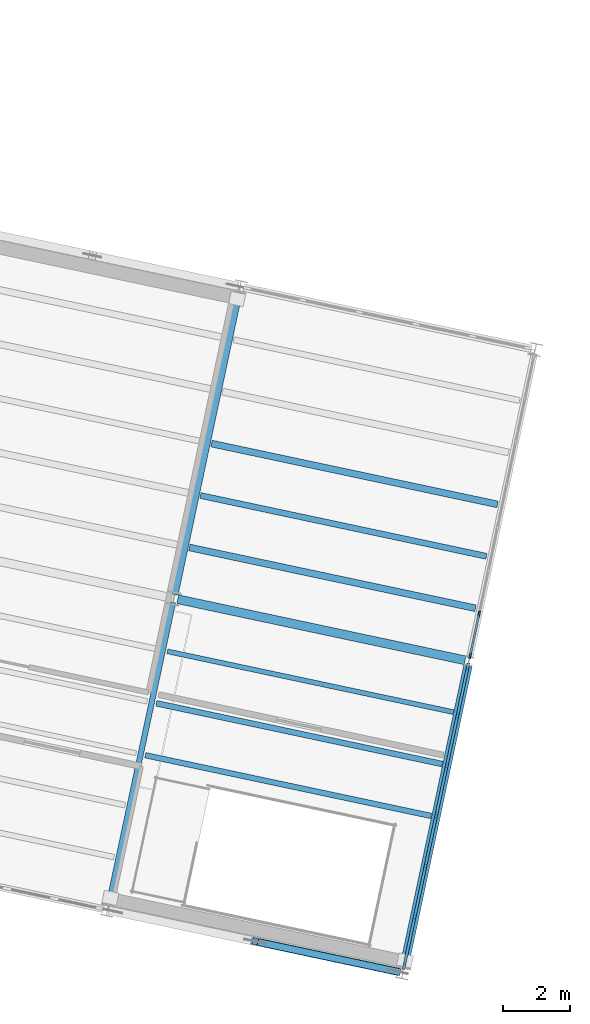
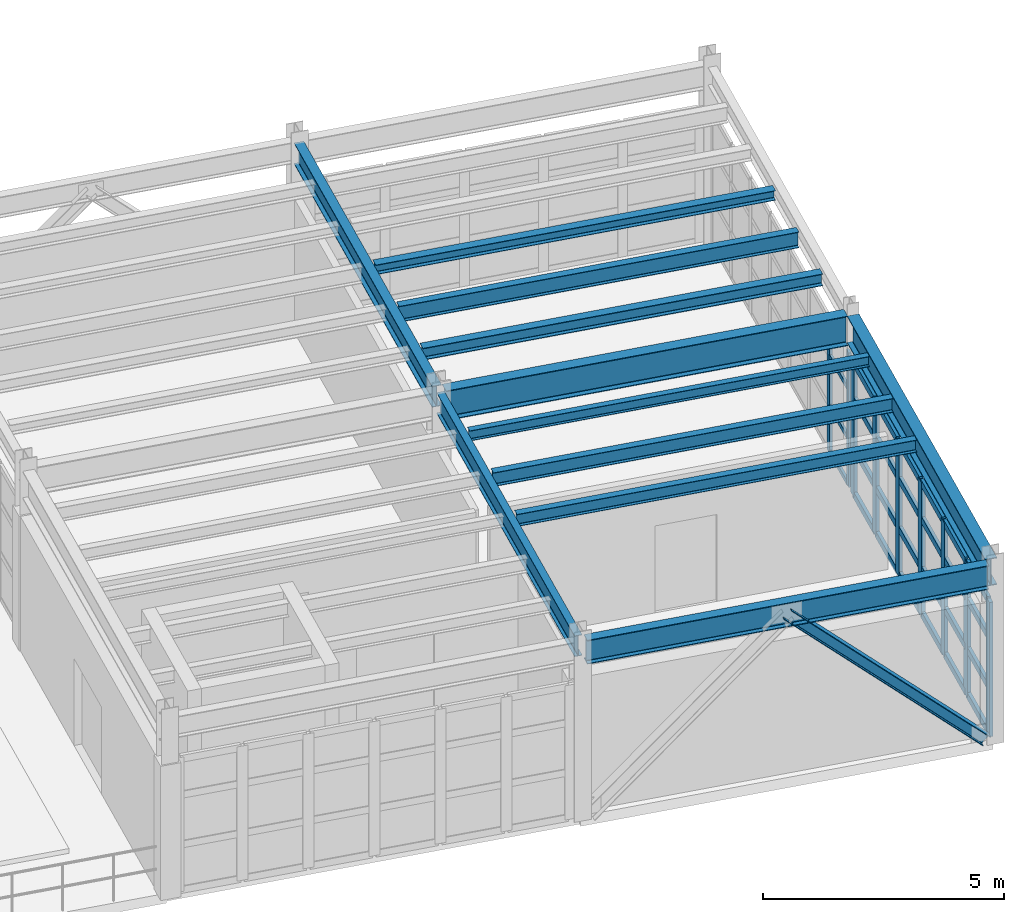
# One storey, part 55 of 109: 37 members, 11 beams, 2 elements without a shape of their own.
"""IFC4 building model written with IfcOpenShell, lengths in metres."""

from ifc_helpers import new_model, si_unit, direction, frame, origin, origin_2d, place, context, subcontext, project, spatial, rectangle, i_section, extrude, material, layer, layer_set, material_profile, profile_set, type_object, element, aggregate, save


model = new_model("IFC4")

# Units and contexts
model_context = context("Model", 3, precision=1e-05, world=origin(), true_north=direction((0.0, 1.0)))
body_context = subcontext(model_context, "Body", "Model", "MODEL_VIEW")
ifc_project = project(units=[si_unit("LENGTHUNIT", "METRE"), si_unit("AREAUNIT", "SQUARE_METRE"), si_unit("VOLUMEUNIT", "CUBIC_METRE"), si_unit("PLANEANGLEUNIT", "RADIAN"), si_unit("MASSUNIT", "GRAM", prefix="KILO")], contexts=[model_context])

# Site, building, storey
site_placement = place(None, origin())
site = spatial("IfcSite", under=ifc_project, at=site_placement, CompositionType="ELEMENT")
building_placement = place(site_placement, origin())
building = spatial("IfcBuilding", under=site, at=building_placement, Name="Vireo Bluff Cable Station", CompositionType="ELEMENT")
storey_placement = place(building_placement, frame((0.0, 0.0, 4.800048828125)))
storey = spatial("IfcBuildingStorey", under=building, at=storey_placement, Name="L01", CompositionType="ELEMENT", Elevation=4.800048828125)

# Beams
ifc_material_1 = material(Name="Steel ASTM A992 Gr. 50", Category="steel")
ifc_material_profile_1 = material_profile(ifc_material_1, i_section(OverallWidth=0.166015625, OverallDepth=0.528076171875, WebThickness=0.009765625, FlangeThickness=0.013671875, FilletRadius=0.012939453125, at=origin_2d()), Name="W21X50")
ifc_profile_set_1 = profile_set([ifc_material_profile_1], Name="Steel ASTM A992 Gr. 50")
beam_type_1 = type_object("IfcBeamType", Name="BM-W21X50", PredefinedType="BEAM", material=ifc_profile_set_1)
beam_1_placement = place(storey_placement, frame((147.631591796875, 6.375, 4.23583984375), z_axis=(0.207915514037, 0.978146788076, 0.0), x_axis=(-0.978146788076, 0.207915514037, 0.0)))
element("IfcBeam", 1, at=beam_1_placement, inside=storey, type_object=beam_type_1, Name="V5E L01 beam 1341", PredefinedType="BEAM", context=body_context, shape_type="SweptSolid", body=[
    extrude(i_section(OverallWidth=0.166015625, OverallDepth=0.528076171875, WebThickness=0.009765625, FlangeThickness=0.013671875, FilletRadius=0.012939453125, at=origin_2d()), origin(), (0.0, 0.0, 1.0), 9.260009765625),
])
ifc_material_profile_2 = material_profile(ifc_material_1, i_section(OverallWidth=0.2099609375, OverallDepth=0.535888671875, WebThickness=0.010986328125, FlangeThickness=0.017333984375, FilletRadius=0.012939453125, at=origin_2d()), Name="W21X68")
ifc_profile_set_2 = profile_set([ifc_material_profile_2], Name="Steel ASTM A992 Gr. 50")
beam_type_2 = type_object("IfcBeamType", Name="BM-W21X68", PredefinedType="BEAM", material=ifc_profile_set_2)
beam_2_placement = place(storey_placement, frame((149.606689453125, 15.66748046875, 4.23193359375), z_axis=(0.207915514037, 0.978146788076, 0.0), x_axis=(-0.978146788076, 0.207915514037, 0.0)))
element("IfcBeam", 2, at=beam_2_placement, inside=storey, type_object=beam_type_2, Name="V5E L01 beam 1342", PredefinedType="BEAM", context=body_context, shape_type="SweptSolid", body=[
    extrude(i_section(OverallWidth=0.2099609375, OverallDepth=0.535888671875, WebThickness=0.010986328125, FlangeThickness=0.017333984375, FilletRadius=0.012939453125, at=origin_2d()), origin(), (0.0, 0.0, 1.0), 9.260009765625),
])

# Member
ifc_material_profile_3 = material_profile(ifc_material_1, i_section(OverallWidth=0.2041015625, OverallDepth=0.257080078125, WebThickness=0.0087890625, FlangeThickness=0.015625, FilletRadius=0.009033203125, at=origin_2d()), Name="W10X45")
ifc_profile_set_3 = profile_set([ifc_material_profile_3], Name="Steel ASTM A992 Gr. 50")
member_type_1 = type_object("IfcMemberType", Name="BRC-01", PredefinedType="BRACE", material=ifc_profile_set_3)
member_1_placement = place(storey_placement, frame((156.25341796875, 4.419677734375, 0.0400390625), z_axis=(-0.707775608155, 0.150445056806, 0.690231825827), x_axis=(-0.207915270313, -0.978146839882, 0.0)))
element("IfcMember", 3, at=member_1_placement, inside=storey, type_object=member_type_1, Name="V5E L01 concentric brace 108R", PredefinedType="BRACE", context=body_context, shape_type="SweptSolid", body=[
    extrude(i_section(OverallWidth=0.2041015625, OverallDepth=0.257080078125, WebThickness=0.0087890625, FlangeThickness=0.015625, FilletRadius=0.009033203125, at=origin_2d()), origin(), (0.0, 0.0, 1.0), 5.997802734375),
])

# Curtain wall, members
ifc_material_2 = material(Name="Anodized Aluminium 6063-T6", Category="aluminium")
ifc_layer_1 = layer(ifc_material_2, 0.179931640625, Name="Anodized Aluminium 6063-T6")
ifc_layer_set_1 = layer_set([ifc_layer_1], Name="Anodized Aluminium 6063-T6")
curtain_wall_type_1 = type_object("IfcCurtainWallType", Name="CW-UNIT-1400", PredefinedType="USERDEFINED", material=ifc_layer_set_1)
curtain_wall_1_placement = place(storey_placement, origin())
curtain_wall_1 = element("IfcCurtainWall", 4, at=curtain_wall_1_placement, inside=storey, type_object=curtain_wall_type_1, Name="V5E L01 east curtain wall CW-138", ObjectType="UNITISED CURTAIN WALL", PredefinedType="USERDEFINED")
ifc_material_profile_4 = material_profile(ifc_material_2, rectangle(XDim=0.06005859375, YDim=0.159912109375, at=origin_2d()), Name="ALU-M-60X160")
ifc_profile_set_4 = profile_set([ifc_material_profile_4], Name="Anodized Aluminium 6063-T6")
member_type_2 = type_object("IfcMemberType", Name="CWM-03", PredefinedType="MULLION", material=ifc_profile_set_4)
member_2_placement = place(storey_placement, frame((158.685791015625, 15.09326171875, 0.0), z_axis=(0.0, 0.0, 1.0), x_axis=(0.978147602084, -0.207911684467, 0.0)))
member_2 = element("IfcMember", 5, at=member_2_placement, type_object=member_type_2, Name="CW-138 mullion 7", PredefinedType="MULLION", context=body_context, shape_type="SweptSolid", body=[
    extrude(rectangle(XDim=0.06005859375, YDim=0.159912109375, at=origin_2d()), origin(), (0.0, 0.0, 1.0), 3.39990234375),
])
member_3_placement = place(storey_placement, frame((158.419189453125, 13.839111328125, 0.0), z_axis=(0.0, 0.0, 1.0), x_axis=(0.978147602084, -0.207911684467, 0.0)))
member_3 = element("IfcMember", 6, at=member_3_placement, type_object=member_type_2, Name="CW-138 mullion 8", PredefinedType="MULLION", context=body_context, shape_type="SweptSolid", body=[
    extrude(rectangle(XDim=0.06005859375, YDim=0.159912109375, at=origin_2d()), origin(), (0.0, 0.0, 1.0), 3.39990234375),
])

ifc_layer_2 = layer(ifc_material_2, 0.179931640625, Name="Anodized Aluminium 6063-T6")
ifc_layer_set_2 = layer_set([ifc_layer_2], Name="Anodized Aluminium 6063-T6")
curtain_wall_type_2 = type_object("IfcCurtainWallType", Name="CW-UNIT-1500", PredefinedType="USERDEFINED", material=ifc_layer_set_2)
curtain_wall_2_placement = place(storey_placement, origin())
curtain_wall_2 = element("IfcCurtainWall", 7, at=curtain_wall_2_placement, inside=storey, type_object=curtain_wall_type_2, Name="V5E L01 east curtain wall CW-139", ObjectType="UNITISED CURTAIN WALL", PredefinedType="USERDEFINED")
ifc_material_profile_5 = material_profile(ifc_material_2, rectangle(XDim=0.080078125, YDim=0.239990234375, at=origin_2d()), Name="ALU-M-80X240")
ifc_profile_set_5 = profile_set([ifc_material_profile_5], Name="Anodized Aluminium 6063-T6")
member_type_3 = type_object("IfcMemberType", Name="CWM-04", PredefinedType="MULLION", material=ifc_profile_set_5)
member_4_placement = place(storey_placement, frame((158.348876953125, 13.508544921875, 0.0), z_axis=(0.0, 0.0, 1.0), x_axis=(0.978147602084, -0.207911684467, 0.0)))
member_4 = element("IfcMember", 8, at=member_4_placement, type_object=member_type_3, Name="CW-139 mullion 1", PredefinedType="MULLION", context=body_context, shape_type="SweptSolid", body=[
    extrude(rectangle(XDim=0.080078125, YDim=0.239990234375, at=origin_2d()), origin(), (0.0, 0.0, 1.0), 3.39990234375),
])
member_5_placement = place(storey_placement, frame((158.0390625, 12.050537109375, 0.0), z_axis=(0.0, 0.0, 1.0), x_axis=(0.978147602084, -0.207911684467, 0.0)))
member_5 = element("IfcMember", 9, at=member_5_placement, type_object=member_type_3, Name="CW-139 mullion 2", PredefinedType="MULLION", context=body_context, shape_type="SweptSolid", body=[
    extrude(rectangle(XDim=0.080078125, YDim=0.239990234375, at=origin_2d()), origin(), (0.0, 0.0, 1.0), 3.39990234375),
])
member_6_placement = place(storey_placement, frame((157.720703125, 10.55322265625, 0.0), z_axis=(0.0, 0.0, 1.0), x_axis=(0.978147602084, -0.207911684467, 0.0)))
member_6 = element("IfcMember", 10, at=member_6_placement, type_object=member_type_3, Name="CW-139 mullion 3", PredefinedType="MULLION", context=body_context, shape_type="SweptSolid", body=[
    extrude(rectangle(XDim=0.080078125, YDim=0.239990234375, at=origin_2d()), origin(), (0.0, 0.0, 1.0), 3.39990234375),
])
member_7_placement = place(storey_placement, frame((157.402587890625, 9.05615234375, 0.0), z_axis=(0.0, 0.0, 1.0), x_axis=(0.978147602084, -0.207911684467, 0.0)))
member_7 = element("IfcMember", 11, at=member_7_placement, type_object=member_type_3, Name="CW-139 mullion 4", PredefinedType="MULLION", context=body_context, shape_type="SweptSolid", body=[
    extrude(rectangle(XDim=0.080078125, YDim=0.239990234375, at=origin_2d()), origin(), (0.0, 0.0, 1.0), 3.39990234375),
])
member_8_placement = place(storey_placement, frame((157.084228515625, 7.558837890625, 0.0), z_axis=(0.0, 0.0, 1.0), x_axis=(0.978147602084, -0.207911684467, 0.0)))
member_8 = element("IfcMember", 12, at=member_8_placement, type_object=member_type_3, Name="CW-139 mullion 5", PredefinedType="MULLION", context=body_context, shape_type="SweptSolid", body=[
    extrude(rectangle(XDim=0.080078125, YDim=0.239990234375, at=origin_2d()), origin(), (0.0, 0.0, 1.0), 3.39990234375),
])
member_9_placement = place(storey_placement, frame((156.76611328125, 6.0615234375, 0.0), z_axis=(0.0, 0.0, 1.0), x_axis=(0.978147602084, -0.207911684467, 0.0)))
member_9 = element("IfcMember", 13, at=member_9_placement, type_object=member_type_3, Name="CW-139 mullion 6", PredefinedType="MULLION", context=body_context, shape_type="SweptSolid", body=[
    extrude(rectangle(XDim=0.080078125, YDim=0.239990234375, at=origin_2d()), origin(), (0.0, 0.0, 1.0), 3.39990234375),
])
member_10_placement = place(storey_placement, frame((156.4560546875, 4.603515625, 0.0), z_axis=(0.0, 0.0, 1.0), x_axis=(0.978147602084, -0.207911684467, 0.0)))
member_10 = element("IfcMember", 14, at=member_10_placement, type_object=member_type_3, Name="CW-139 mullion 7", PredefinedType="MULLION", context=body_context, shape_type="SweptSolid", body=[
    extrude(rectangle(XDim=0.080078125, YDim=0.239990234375, at=origin_2d()), origin(), (0.0, 0.0, 1.0), 3.39990234375),
])

# Member
ifc_material_profile_6 = material_profile(ifc_material_2, rectangle(XDim=0.06005859375, YDim=0.1201171875, at=origin_2d()), Name="ALU-T-60X120")
ifc_profile_set_6 = profile_set([ifc_material_profile_6], Name="Anodized Aluminium 6063-T6")
member_type_4 = type_object("IfcMemberType", Name="CWT-03", PredefinedType="USERDEFINED", material=ifc_profile_set_6)
member_11_placement = place(storey_placement, frame((158.679443359375, 15.06396484375, 0.030029296875), z_axis=(-0.207782291722, -0.978175096415, 0.0), x_axis=(0.978175096415, -0.207782291722, 0.0)))
member_11 = element("IfcMember", 15, at=member_11_placement, type_object=member_type_4, Name="CW-138 transom 7.1", ObjectType="TRANSOM", PredefinedType="USERDEFINED", context=body_context, shape_type="SweptSolid", body=[
    extrude(rectangle(XDim=0.06005859375, YDim=0.1201171875, at=origin_2d()), origin(), (0.0, 0.0, 1.0), 1.221923828125),
])

member_12_placement = place(storey_placement, frame((158.679443359375, 15.06396484375, 1.18994140625), z_axis=(-0.207782291722, -0.978175096415, 0.0), x_axis=(0.978175096415, -0.207782291722, 0.0)))
member_12 = element("IfcMember", 16, at=member_12_placement, type_object=member_type_4, Name="CW-138 transom 7.2", ObjectType="TRANSOM", PredefinedType="USERDEFINED", context=body_context, shape_type="SweptSolid", body=[
    extrude(rectangle(XDim=0.06005859375, YDim=0.1201171875, at=origin_2d()), origin(), (0.0, 0.0, 1.0), 1.221923828125),
])

member_13_placement = place(storey_placement, frame((158.679443359375, 15.06396484375, 2.447998046875), z_axis=(-0.207782291722, -0.978175096415, 0.0), x_axis=(0.978175096415, -0.207782291722, 0.0)))
member_13 = element("IfcMember", 17, at=member_13_placement, type_object=member_type_4, Name="CW-138 transom 7.3", ObjectType="TRANSOM", PredefinedType="USERDEFINED", context=body_context, shape_type="SweptSolid", body=[
    extrude(rectangle(XDim=0.06005859375, YDim=0.1201171875, at=origin_2d()), origin(), (0.0, 0.0, 1.0), 1.221923828125),
])

aggregate(curtain_wall_1, [member_2, member_3, member_11, member_12, member_13])

ifc_material_profile_7 = material_profile(ifc_material_2, rectangle(XDim=0.080078125, YDim=0.175048828125, at=origin_2d()), Name="ALU-T-80X175")
ifc_profile_set_7 = profile_set([ifc_material_profile_7], Name="Anodized Aluminium 6063-T6")
member_type_5 = type_object("IfcMemberType", Name="CWT-04", PredefinedType="USERDEFINED", material=ifc_profile_set_7)
member_14_placement = place(storey_placement, frame((158.340576171875, 13.469482421875, 0.0400390625), z_axis=(-0.207850476452, -0.978160610247, 0.0), x_axis=(0.978160610247, -0.207850476452, 0.0)))
member_14 = element("IfcMember", 18, at=member_14_placement, type_object=member_type_5, Name="CW-139 transom 1.1", ObjectType="TRANSOM", PredefinedType="USERDEFINED", context=body_context, shape_type="SweptSolid", body=[
    extrude(rectangle(XDim=0.080078125, YDim=0.175048828125, at=origin_2d()), origin(), (0.0, 0.0, 1.0), 1.41064453125),
])

member_15_placement = place(storey_placement, frame((158.340576171875, 13.469482421875, 1.18994140625), z_axis=(-0.207850476452, -0.978160610247, 0.0), x_axis=(0.978160610247, -0.207850476452, 0.0)))
member_15 = element("IfcMember", 19, at=member_15_placement, type_object=member_type_5, Name="CW-139 transom 1.2", ObjectType="TRANSOM", PredefinedType="USERDEFINED", context=body_context, shape_type="SweptSolid", body=[
    extrude(rectangle(XDim=0.080078125, YDim=0.175048828125, at=origin_2d()), origin(), (0.0, 0.0, 1.0), 1.41064453125),
])

member_16_placement = place(storey_placement, frame((158.340576171875, 13.469482421875, 2.447998046875), z_axis=(-0.207850476452, -0.978160610247, 0.0), x_axis=(0.978160610247, -0.207850476452, 0.0)))
member_16 = element("IfcMember", 20, at=member_16_placement, type_object=member_type_5, Name="CW-139 transom 1.3", ObjectType="TRANSOM", PredefinedType="USERDEFINED", context=body_context, shape_type="SweptSolid", body=[
    extrude(rectangle(XDim=0.080078125, YDim=0.175048828125, at=origin_2d()), origin(), (0.0, 0.0, 1.0), 1.41064453125),
])

member_17_placement = place(storey_placement, frame((158.340576171875, 13.469482421875, 3.35986328125), z_axis=(-0.207850476452, -0.978160610247, 0.0), x_axis=(0.978160610247, -0.207850476452, 0.0)))
member_17 = element("IfcMember", 21, at=member_17_placement, type_object=member_type_5, Name="CW-139 transom 1.4", ObjectType="TRANSOM", PredefinedType="USERDEFINED", context=body_context, shape_type="SweptSolid", body=[
    extrude(rectangle(XDim=0.080078125, YDim=0.175048828125, at=origin_2d()), origin(), (0.0, 0.0, 1.0), 1.41064453125),
])

member_18_placement = place(storey_placement, frame((158.03076171875, 12.011474609375, 0.0400390625), z_axis=(-0.207977489263, -0.978133612529, 0.0), x_axis=(0.978133612529, -0.207977489263, 0.0)))
member_18 = element("IfcMember", 22, at=member_18_placement, type_object=member_type_5, Name="CW-139 transom 2.1", ObjectType="TRANSOM", PredefinedType="USERDEFINED", context=body_context, shape_type="SweptSolid", body=[
    extrude(rectangle(XDim=0.080078125, YDim=0.175048828125, at=origin_2d()), origin(), (0.0, 0.0, 1.0), 1.450927734375),
])

member_19_placement = place(storey_placement, frame((158.03076171875, 12.011474609375, 1.18994140625), z_axis=(-0.207977489263, -0.978133612529, 0.0), x_axis=(0.978133612529, -0.207977489263, 0.0)))
member_19 = element("IfcMember", 23, at=member_19_placement, type_object=member_type_5, Name="CW-139 transom 2.2", ObjectType="TRANSOM", PredefinedType="USERDEFINED", context=body_context, shape_type="SweptSolid", body=[
    extrude(rectangle(XDim=0.080078125, YDim=0.175048828125, at=origin_2d()), origin(), (0.0, 0.0, 1.0), 1.450927734375),
])

member_20_placement = place(storey_placement, frame((158.03076171875, 12.011474609375, 2.447998046875), z_axis=(-0.207977489263, -0.978133612529, 0.0), x_axis=(0.978133612529, -0.207977489263, 0.0)))
member_20 = element("IfcMember", 24, at=member_20_placement, type_object=member_type_5, Name="CW-139 transom 2.3", ObjectType="TRANSOM", PredefinedType="USERDEFINED", context=body_context, shape_type="SweptSolid", body=[
    extrude(rectangle(XDim=0.080078125, YDim=0.175048828125, at=origin_2d()), origin(), (0.0, 0.0, 1.0), 1.450927734375),
])

member_21_placement = place(storey_placement, frame((158.03076171875, 12.011474609375, 3.35986328125), z_axis=(-0.207977489263, -0.978133612529, 0.0), x_axis=(0.978133612529, -0.207977489263, 0.0)))
member_21 = element("IfcMember", 25, at=member_21_placement, type_object=member_type_5, Name="CW-139 transom 2.4", ObjectType="TRANSOM", PredefinedType="USERDEFINED", context=body_context, shape_type="SweptSolid", body=[
    extrude(rectangle(XDim=0.080078125, YDim=0.175048828125, at=origin_2d()), origin(), (0.0, 0.0, 1.0), 1.450927734375),
])

member_22_placement = place(storey_placement, frame((157.71240234375, 10.51416015625, 0.0400390625), z_axis=(-0.207850704377, -0.978160561815, 0.0), x_axis=(0.978160561815, -0.207850704377, 0.0)))
member_22 = element("IfcMember", 26, at=member_22_placement, type_object=member_type_5, Name="CW-139 transom 3.1", ObjectType="TRANSOM", PredefinedType="USERDEFINED", context=body_context, shape_type="SweptSolid", body=[
    extrude(rectangle(XDim=0.080078125, YDim=0.175048828125, at=origin_2d()), origin(), (0.0, 0.0, 1.0), 1.45068359375),
])

member_23_placement = place(storey_placement, frame((157.71240234375, 10.51416015625, 1.18994140625), z_axis=(-0.207850704377, -0.978160561815, 0.0), x_axis=(0.978160561815, -0.207850704377, 0.0)))
member_23 = element("IfcMember", 27, at=member_23_placement, type_object=member_type_5, Name="CW-139 transom 3.2", ObjectType="TRANSOM", PredefinedType="USERDEFINED", context=body_context, shape_type="SweptSolid", body=[
    extrude(rectangle(XDim=0.080078125, YDim=0.175048828125, at=origin_2d()), origin(), (0.0, 0.0, 1.0), 1.45068359375),
])

member_24_placement = place(storey_placement, frame((157.71240234375, 10.51416015625, 2.447998046875), z_axis=(-0.207850704377, -0.978160561815, 0.0), x_axis=(0.978160561815, -0.207850704377, 0.0)))
member_24 = element("IfcMember", 28, at=member_24_placement, type_object=member_type_5, Name="CW-139 transom 3.3", ObjectType="TRANSOM", PredefinedType="USERDEFINED", context=body_context, shape_type="SweptSolid", body=[
    extrude(rectangle(XDim=0.080078125, YDim=0.175048828125, at=origin_2d()), origin(), (0.0, 0.0, 1.0), 1.45068359375),
])

member_25_placement = place(storey_placement, frame((157.71240234375, 10.51416015625, 3.35986328125), z_axis=(-0.207850704377, -0.978160561815, 0.0), x_axis=(0.978160561815, -0.207850704377, 0.0)))
member_25 = element("IfcMember", 29, at=member_25_placement, type_object=member_type_5, Name="CW-139 transom 3.4", ObjectType="TRANSOM", PredefinedType="USERDEFINED", context=body_context, shape_type="SweptSolid", body=[
    extrude(rectangle(XDim=0.080078125, YDim=0.175048828125, at=origin_2d()), origin(), (0.0, 0.0, 1.0), 1.45068359375),
])

member_26_placement = place(storey_placement, frame((157.394287109375, 9.016845703125, 0.0400390625), z_axis=(-0.208011725202, -0.978126332423, 0.0), x_axis=(0.978126332423, -0.208011725202, 0.0)))
member_26 = element("IfcMember", 30, at=member_26_placement, type_object=member_type_5, Name="CW-139 transom 4.1", ObjectType="TRANSOM", PredefinedType="USERDEFINED", context=body_context, shape_type="SweptSolid", body=[
    extrude(rectangle(XDim=0.080078125, YDim=0.175048828125, at=origin_2d()), origin(), (0.0, 0.0, 1.0), 1.45068359375),
])

member_27_placement = place(storey_placement, frame((157.394287109375, 9.016845703125, 1.18994140625), z_axis=(-0.208011725202, -0.978126332423, 0.0), x_axis=(0.978126332423, -0.208011725202, 0.0)))
member_27 = element("IfcMember", 31, at=member_27_placement, type_object=member_type_5, Name="CW-139 transom 4.2", ObjectType="TRANSOM", PredefinedType="USERDEFINED", context=body_context, shape_type="SweptSolid", body=[
    extrude(rectangle(XDim=0.080078125, YDim=0.175048828125, at=origin_2d()), origin(), (0.0, 0.0, 1.0), 1.45068359375),
])

member_28_placement = place(storey_placement, frame((157.394287109375, 9.016845703125, 2.447998046875), z_axis=(-0.208011725202, -0.978126332423, 0.0), x_axis=(0.978126332423, -0.208011725202, 0.0)))
member_28 = element("IfcMember", 32, at=member_28_placement, type_object=member_type_5, Name="CW-139 transom 4.3", ObjectType="TRANSOM", PredefinedType="USERDEFINED", context=body_context, shape_type="SweptSolid", body=[
    extrude(rectangle(XDim=0.080078125, YDim=0.175048828125, at=origin_2d()), origin(), (0.0, 0.0, 1.0), 1.45068359375),
])

member_29_placement = place(storey_placement, frame((157.394287109375, 9.016845703125, 3.35986328125), z_axis=(-0.208011725202, -0.978126332423, 0.0), x_axis=(0.978126332423, -0.208011725202, 0.0)))
member_29 = element("IfcMember", 33, at=member_29_placement, type_object=member_type_5, Name="CW-139 transom 4.4", ObjectType="TRANSOM", PredefinedType="USERDEFINED", context=body_context, shape_type="SweptSolid", body=[
    extrude(rectangle(XDim=0.080078125, YDim=0.175048828125, at=origin_2d()), origin(), (0.0, 0.0, 1.0), 1.45068359375),
])

member_30_placement = place(storey_placement, frame((157.075927734375, 7.519775390625, 0.0400390625), z_axis=(-0.207850704377, -0.978160561815, 0.0), x_axis=(0.978160561815, -0.207850704377, 0.0)))
member_30 = element("IfcMember", 34, at=member_30_placement, type_object=member_type_5, Name="CW-139 transom 5.1", ObjectType="TRANSOM", PredefinedType="USERDEFINED", context=body_context, shape_type="SweptSolid", body=[
    extrude(rectangle(XDim=0.080078125, YDim=0.175048828125, at=origin_2d()), origin(), (0.0, 0.0, 1.0), 1.45068359375),
])

member_31_placement = place(storey_placement, frame((157.075927734375, 7.519775390625, 1.18994140625), z_axis=(-0.207850704377, -0.978160561815, 0.0), x_axis=(0.978160561815, -0.207850704377, 0.0)))
member_31 = element("IfcMember", 35, at=member_31_placement, type_object=member_type_5, Name="CW-139 transom 5.2", ObjectType="TRANSOM", PredefinedType="USERDEFINED", context=body_context, shape_type="SweptSolid", body=[
    extrude(rectangle(XDim=0.080078125, YDim=0.175048828125, at=origin_2d()), origin(), (0.0, 0.0, 1.0), 1.45068359375),
])

member_32_placement = place(storey_placement, frame((157.075927734375, 7.519775390625, 2.447998046875), z_axis=(-0.207850704377, -0.978160561815, 0.0), x_axis=(0.978160561815, -0.207850704377, 0.0)))
member_32 = element("IfcMember", 36, at=member_32_placement, type_object=member_type_5, Name="CW-139 transom 5.3", ObjectType="TRANSOM", PredefinedType="USERDEFINED", context=body_context, shape_type="SweptSolid", body=[
    extrude(rectangle(XDim=0.080078125, YDim=0.175048828125, at=origin_2d()), origin(), (0.0, 0.0, 1.0), 1.45068359375),
])

member_33_placement = place(storey_placement, frame((157.075927734375, 7.519775390625, 3.35986328125), z_axis=(-0.207850704377, -0.978160561815, 0.0), x_axis=(0.978160561815, -0.207850704377, 0.0)))
member_33 = element("IfcMember", 37, at=member_33_placement, type_object=member_type_5, Name="CW-139 transom 5.4", ObjectType="TRANSOM", PredefinedType="USERDEFINED", context=body_context, shape_type="SweptSolid", body=[
    extrude(rectangle(XDim=0.080078125, YDim=0.175048828125, at=origin_2d()), origin(), (0.0, 0.0, 1.0), 1.45068359375),
])

member_34_placement = place(storey_placement, frame((156.7578125, 6.0224609375, 0.0400390625), z_axis=(-0.208016055323, -0.978125411554, 0.0), x_axis=(0.978125411554, -0.208016055323, 0.0)))
member_34 = element("IfcMember", 38, at=member_34_placement, type_object=member_type_5, Name="CW-139 transom 6.1", ObjectType="TRANSOM", PredefinedType="USERDEFINED", context=body_context, shape_type="SweptSolid", body=[
    extrude(rectangle(XDim=0.080078125, YDim=0.175048828125, at=origin_2d()), origin(), (0.0, 0.0, 1.0), 1.41064453125),
])

member_35_placement = place(storey_placement, frame((156.7578125, 6.0224609375, 1.18994140625), z_axis=(-0.208016055323, -0.978125411554, 0.0), x_axis=(0.978125411554, -0.208016055323, 0.0)))
member_35 = element("IfcMember", 39, at=member_35_placement, type_object=member_type_5, Name="CW-139 transom 6.2", ObjectType="TRANSOM", PredefinedType="USERDEFINED", context=body_context, shape_type="SweptSolid", body=[
    extrude(rectangle(XDim=0.080078125, YDim=0.175048828125, at=origin_2d()), origin(), (0.0, 0.0, 1.0), 1.41064453125),
])

member_36_placement = place(storey_placement, frame((156.7578125, 6.0224609375, 2.447998046875), z_axis=(-0.208016055323, -0.978125411554, 0.0), x_axis=(0.978125411554, -0.208016055323, 0.0)))
member_36 = element("IfcMember", 40, at=member_36_placement, type_object=member_type_5, Name="CW-139 transom 6.3", ObjectType="TRANSOM", PredefinedType="USERDEFINED", context=body_context, shape_type="SweptSolid", body=[
    extrude(rectangle(XDim=0.080078125, YDim=0.175048828125, at=origin_2d()), origin(), (0.0, 0.0, 1.0), 1.41064453125),
])

member_37_placement = place(storey_placement, frame((156.7578125, 6.0224609375, 3.35986328125), z_axis=(-0.208016055323, -0.978125411554, 0.0), x_axis=(0.978125411554, -0.208016055323, 0.0)))
member_37 = element("IfcMember", 41, at=member_37_placement, type_object=member_type_5, Name="CW-139 transom 6.4", ObjectType="TRANSOM", PredefinedType="USERDEFINED", context=body_context, shape_type="SweptSolid", body=[
    extrude(rectangle(XDim=0.080078125, YDim=0.175048828125, at=origin_2d()), origin(), (0.0, 0.0, 1.0), 1.41064453125),
])

aggregate(curtain_wall_2, [member_4, member_5, member_6, member_7, member_8, member_9, member_10, member_14, member_15, member_16, member_17, member_18, member_19, member_20, member_21, member_22, member_23, member_24, member_25, member_26, member_27, member_28, member_29, member_30, member_31, member_32, member_33, member_34, member_35, member_36, member_37])

# Beams
ifc_material_profile_8 = material_profile(ifc_material_1, i_section(OverallWidth=0.264892578125, OverallDepth=0.7529296875, WebThickness=0.01318359375, FlangeThickness=0.01708984375, FilletRadius=0.01611328125, at=origin_2d()), Name="W30X99")
ifc_profile_set_8 = profile_set([ifc_material_profile_8], Name="Steel ASTM A992 Gr. 50")
beam_type_3 = type_object("IfcBeamType", Name="GIR-W30X99", PredefinedType="USERDEFINED", material=ifc_profile_set_8)
beam_3_placement = place(storey_placement, frame((149.69921875, 15.525146484375, 4.12353515625), z_axis=(0.978148154167, -0.207909087104, 0.0), x_axis=(0.207909087104, 0.978148154167, 0.0)))
element("IfcBeam", 42, at=beam_3_placement, inside=storey, type_object=beam_type_3, Name="V5E L01 girder 1336", ObjectType="GIRDER", PredefinedType="USERDEFINED", context=body_context, shape_type="SweptSolid", body=[
    extrude(i_section(OverallWidth=0.264892578125, OverallDepth=0.7529296875, WebThickness=0.01318359375, FlangeThickness=0.01708984375, FilletRadius=0.01611328125, at=origin_2d()), origin(), (0.0, 0.0, 1.0), 8.760009765625),
])
ifc_material_profile_9 = material_profile(ifc_material_1, i_section(OverallWidth=0.14599609375, OverallDepth=0.259033203125, WebThickness=0.006103515625, FlangeThickness=0.009033203125, FilletRadius=0.009033203125, at=origin_2d()), Name="W10X22")
ifc_profile_set_9 = profile_set([ifc_material_profile_9], Name="Steel ASTM A992 Gr. 50")
beam_type_4 = type_object("IfcBeamType", Name="JST-W10X22", PredefinedType="JOIST", material=ifc_profile_set_9)
beam_4_placement = place(storey_placement, frame((149.3896484375, 13.97216796875, 4.370361328125), z_axis=(0.978146894897, -0.207915011493, 0.0), x_axis=(0.207915011493, 0.978146894897, 0.0)))
element("IfcBeam", 43, at=beam_4_placement, inside=storey, type_object=beam_type_4, Name="V5E L01 composite joist 1357", PredefinedType="JOIST", context=body_context, shape_type="SweptSolid", body=[
    extrude(i_section(OverallWidth=0.14599609375, OverallDepth=0.259033203125, WebThickness=0.006103515625, FlangeThickness=0.009033203125, FilletRadius=0.009033203125, at=origin_2d()), origin(), (0.0, 0.0, 1.0), 8.719970703125),
])
ifc_material_profile_10 = material_profile(ifc_material_1, i_section(OverallWidth=0.201904296875, OverallDepth=0.2470703125, WebThickness=0.00732421875, FlangeThickness=0.010986328125, FilletRadius=0.009033203125, at=origin_2d()), Name="W10X33")
ifc_profile_set_10 = profile_set([ifc_material_profile_10], Name="Steel ASTM A992 Gr. 50")
beam_type_5 = type_object("IfcBeamType", Name="JST-W10X33", PredefinedType="JOIST", material=ifc_profile_set_10)
beam_5_placement = place(storey_placement, frame((150.706298828125, 20.1669921875, 4.37646484375), z_axis=(0.978148105174, -0.207909317601, 0.0), x_axis=(0.207909317601, 0.978148105174, 0.0)))
element("IfcBeam", 44, at=beam_5_placement, inside=storey, type_object=beam_type_5, Name="V5E L01 composite joist 1360", PredefinedType="JOIST", context=body_context, shape_type="SweptSolid", body=[
    extrude(i_section(OverallWidth=0.201904296875, OverallDepth=0.2470703125, WebThickness=0.00732421875, FlangeThickness=0.010986328125, FilletRadius=0.009033203125, at=origin_2d()), origin(), (0.0, 0.0, 1.0), 8.719970703125),
])
ifc_material_profile_11 = material_profile(ifc_material_1, i_section(OverallWidth=0.1650390625, OverallDepth=0.31005859375, WebThickness=0.005859375, FlangeThickness=0.009765625, FilletRadius=0.010009765625, at=origin_2d()), Name="W12X26")
ifc_profile_set_11 = profile_set([ifc_material_profile_11], Name="Steel ASTM A992 Gr. 50")
beam_type_6 = type_object("IfcBeamType", Name="JST-W12X26", PredefinedType="JOIST", material=ifc_profile_set_11)
beam_6_placement = place(storey_placement, frame((148.731201171875, 10.874755859375, 4.344970703125), z_axis=(0.978148105174, -0.207909317601, 0.0), x_axis=(0.207909317601, 0.978148105174, 0.0)))
element("IfcBeam", 45, at=beam_6_placement, inside=storey, type_object=beam_type_6, Name="V5E L01 composite joist 1355", PredefinedType="JOIST", context=body_context, shape_type="SweptSolid", body=[
    extrude(i_section(OverallWidth=0.1650390625, OverallDepth=0.31005859375, WebThickness=0.005859375, FlangeThickness=0.009765625, FilletRadius=0.010009765625, at=origin_2d()), origin(), (0.0, 0.0, 1.0), 8.719970703125),
])
ifc_material_profile_12 = material_profile(ifc_material_1, i_section(OverallWidth=0.202880859375, OverallDepth=0.302978515625, WebThickness=0.007568359375, FlangeThickness=0.01318359375, FilletRadius=0.010009765625, at=origin_2d()), Name="W12X40")
ifc_profile_set_12 = profile_set([ifc_material_profile_12], Name="Steel ASTM A992 Gr. 50")
beam_type_7 = type_object("IfcBeamType", Name="JST-W12X40", PredefinedType="JOIST", material=ifc_profile_set_12)
beam_7_placement = place(storey_placement, frame((150.0478515625, 17.069580078125, 4.348388671875), z_axis=(0.978148105174, -0.207909317601, 0.0), x_axis=(0.207909317601, 0.978148105174, 0.0)))
element("IfcBeam", 46, at=beam_7_placement, inside=storey, type_object=beam_type_7, Name="V5E L01 composite joist 1358", PredefinedType="JOIST", context=body_context, shape_type="SweptSolid", body=[
    extrude(i_section(OverallWidth=0.202880859375, OverallDepth=0.302978515625, WebThickness=0.007568359375, FlangeThickness=0.01318359375, FilletRadius=0.010009765625, at=origin_2d()), origin(), (0.0, 0.0, 1.0), 8.719970703125),
])
ifc_material_profile_13 = material_profile(ifc_material_1, i_section(OverallWidth=0.1708984375, OverallDepth=0.35107421875, WebThickness=0.0068359375, FlangeThickness=0.009765625, FilletRadius=0.010009765625, at=origin_2d()), Name="W14X30")
ifc_profile_set_13 = profile_set([ifc_material_profile_13], Name="Steel ASTM A992 Gr. 50")
beam_type_8 = type_object("IfcBeamType", Name="JST-W14X30", PredefinedType="JOIST", material=ifc_profile_set_13)
beam_8_placement = place(storey_placement, frame((149.060302734375, 12.42333984375, 4.324462890625), z_axis=(0.978148105174, -0.207909317601, 0.0), x_axis=(0.207909317601, 0.978148105174, 0.0)))
element("IfcBeam", 47, at=beam_8_placement, inside=storey, type_object=beam_type_8, Name="V5E L01 composite joist 1356", PredefinedType="JOIST", context=body_context, shape_type="SweptSolid", body=[
    extrude(i_section(OverallWidth=0.1708984375, OverallDepth=0.35107421875, WebThickness=0.0068359375, FlangeThickness=0.009765625, FilletRadius=0.010009765625, at=origin_2d()), origin(), (0.0, 0.0, 1.0), 8.719970703125),
])
ifc_material_profile_14 = material_profile(ifc_material_1, i_section(OverallWidth=0.177978515625, OverallDepth=0.404052734375, WebThickness=0.007568359375, FlangeThickness=0.010986328125, FilletRadius=0.010009765625, at=origin_2d()), Name="W16X36")
ifc_profile_set_14 = profile_set([ifc_material_profile_14], Name="Steel ASTM A992 Gr. 50")
beam_type_9 = type_object("IfcBeamType", Name="JST-W16X36", PredefinedType="JOIST", material=ifc_profile_set_14)
beam_9_placement = place(storey_placement, frame((150.377197265625, 18.618408203125, 4.2978515625), z_axis=(0.978146894897, -0.207915011493, 0.0), x_axis=(0.207915011493, 0.978146894897, 0.0)))
element("IfcBeam", 48, at=beam_9_placement, inside=storey, type_object=beam_type_9, Name="V5E L01 composite joist 1359", PredefinedType="JOIST", context=body_context, shape_type="SweptSolid", body=[
    extrude(i_section(OverallWidth=0.177978515625, OverallDepth=0.404052734375, WebThickness=0.007568359375, FlangeThickness=0.010986328125, FilletRadius=0.010009765625, at=origin_2d()), origin(), (0.0, 0.0, 1.0), 8.719970703125),
])
ifc_material_profile_15 = material_profile(ifc_material_1, i_section(OverallWidth=0.22802734375, OverallDepth=0.60693359375, WebThickness=0.01123046875, FlangeThickness=0.017333984375, FilletRadius=0.012939453125, at=origin_2d()), Name="W24X76")
ifc_profile_set_15 = profile_set([ifc_material_profile_15], Name="Steel ASTM A992 Gr. 50")
beam_type_10 = type_object("IfcBeamType", Name="SPN-W24X76", PredefinedType="SPANDREL", material=ifc_profile_set_15)
beam_10_placement = place(storey_placement, frame((147.72412109375, 6.232666015625, 4.196533203125), z_axis=(0.978148154167, -0.207909087104, 0.0), x_axis=(0.207909087104, 0.978148154167, 0.0)))
element("IfcBeam", 49, at=beam_10_placement, inside=storey, type_object=beam_type_10, Name="V5E L01 spandrel 1334", PredefinedType="SPANDREL", context=body_context, shape_type="SweptSolid", body=[
    extrude(i_section(OverallWidth=0.22802734375, OverallDepth=0.60693359375, WebThickness=0.01123046875, FlangeThickness=0.017333984375, FilletRadius=0.012939453125, at=origin_2d()), origin(), (0.0, 0.0, 1.0), 8.760009765625),
])
ifc_material_profile_16 = material_profile(ifc_material_1, i_section(OverallWidth=0.257080078125, OverallDepth=0.693115234375, WebThickness=0.014404296875, FlangeThickness=0.023681640625, FilletRadius=0.014892578125, at=origin_2d()), Name="W27X114")
ifc_profile_set_16 = profile_set([ifc_material_profile_16], Name="Steel ASTM A992 Gr. 50")
beam_type_11 = type_object("IfcBeamType", Name="SPN-W27X114", PredefinedType="SPANDREL", material=ifc_profile_set_16)
beam_11_placement = place(storey_placement, frame((156.434814453125, 4.503662109375, 4.153564453125), z_axis=(0.207910152243, 0.978147927767, 0.0), x_axis=(-0.978147927767, 0.207910152243, 0.0)))
element("IfcBeam", 50, at=beam_11_placement, inside=storey, type_object=beam_type_11, Name="V5E L01 spandrel 1343", PredefinedType="SPANDREL", context=body_context, shape_type="SweptSolid", body=[
    extrude(i_section(OverallWidth=0.257080078125, OverallDepth=0.693115234375, WebThickness=0.014404296875, FlangeThickness=0.023681640625, FilletRadius=0.014892578125, at=origin_2d()), origin(), (0.0, 0.0, 1.0), 9.26025390625),
])

save(model, "model.ifc")
